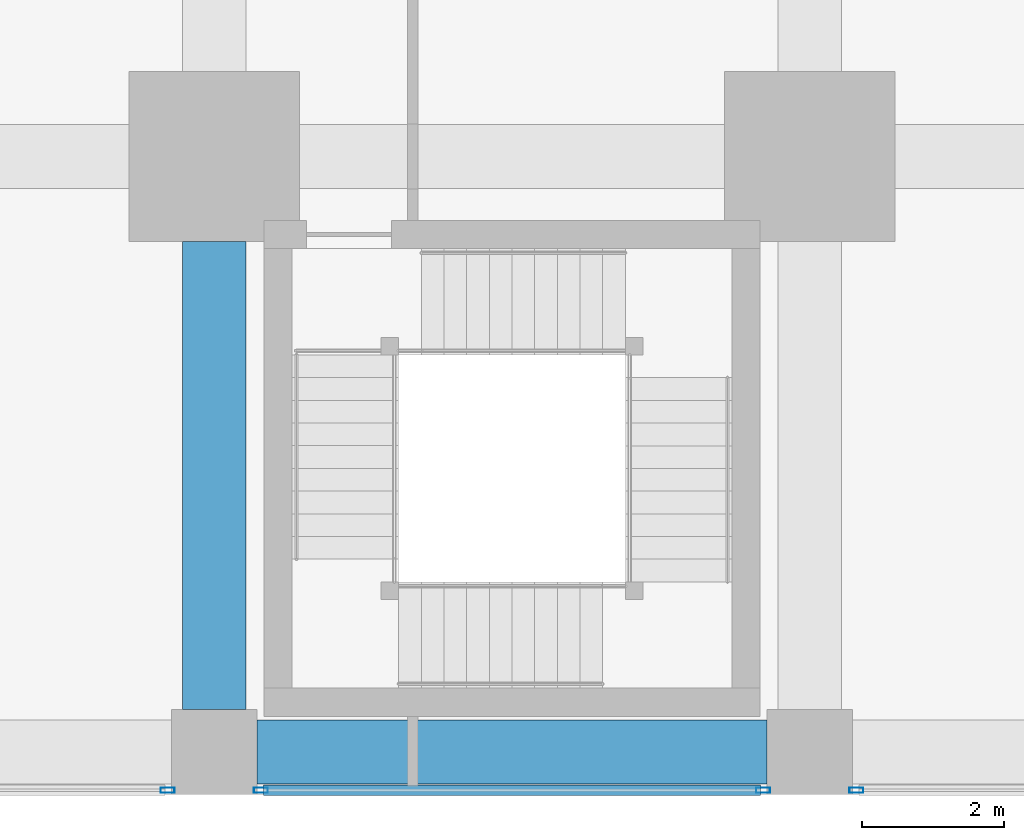
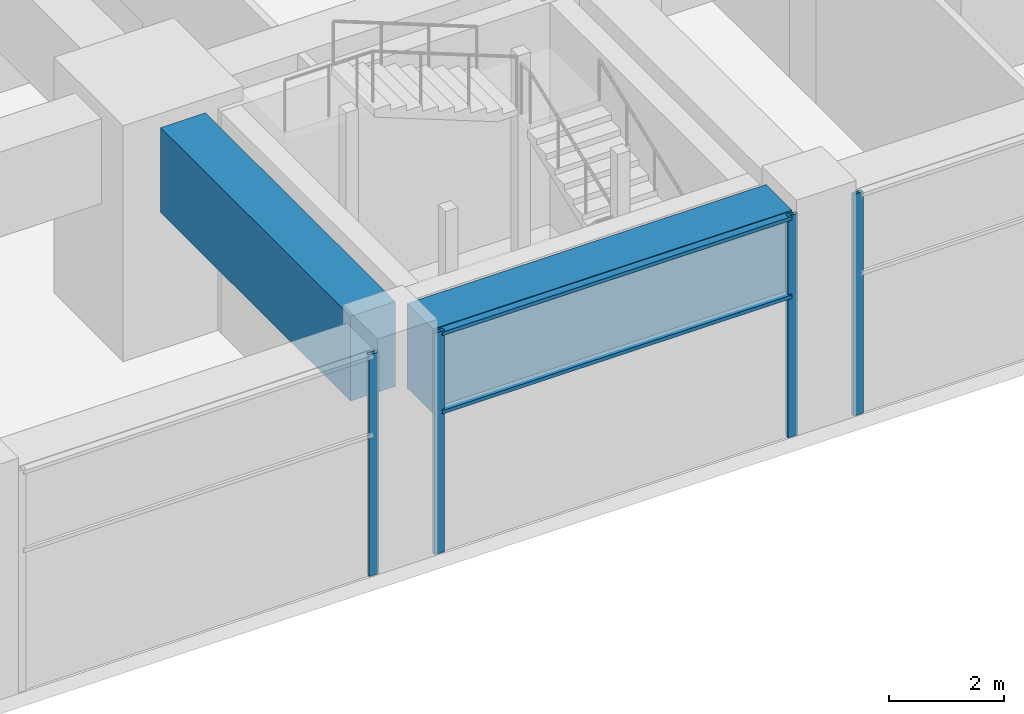
# One storey, part 15 of 48: 6 members, 2 beams, 3 elements without a shape of their own.
"""IFC4 building model written with IfcOpenShell, lengths in metres."""

import ifcopenshell
import ifcopenshell.guid

model = None  # the IFC model being written
_history = None  # IfcOwnerHistory: only IFC2X3 demands one
_inside = {}  # id of a spatial element -> (the spatial element, [elements in it])
_under = {}  # id of a project, library or spatial element -> (it, [spatial elements below it])
_declared = {}  # id of a project -> (the project, [libraries it declares])
_typed = {}  # id of a type object -> (the type object, [elements of that type])
_made_of = {}  # id of a material, layer set ... -> (it, [elements and type objects made of it])


def new_model(schema):
    """Start an empty IFC model of exactly this schema.

    Asked for "IFC4X3", IfcOpenShell would pick the latest addendum, in which some entities
    have other attributes; the version numbers below select the first issue.
    IFC2X3 requires an IfcOwnerHistory on every rooted entity: one is made here for all.
    """
    global model, _history
    if schema == "IFC4X3":
        model = ifcopenshell.file(schema_version=(4, 3, 0, 0))
    else:
        model = ifcopenshell.file(schema=schema)
    _inside.clear()
    _under.clear()
    _declared.clear()
    _typed.clear()
    _made_of.clear()
    _history = None
    if model.schema == "IFC2X3":
        org = make("IfcOrganization", Name="unknown")
        user = make(
            "IfcPersonAndOrganization",
            ThePerson=make("IfcPerson", FamilyName="unknown"),
            TheOrganization=org,
        )
        app = make(
            "IfcApplication",
            ApplicationDeveloper=org,
            Version="unknown",
            ApplicationFullName="unknown",
            ApplicationIdentifier="unknown",
        )
        _history = make(
            "IfcOwnerHistory",
            OwningUser=user,
            OwningApplication=app,
            ChangeAction="ADDED",
            CreationDate=0,
        )
    return model


def make(cls, **values):
    """One entity of the class cls with the attributes given. An attribute that is None is left unset."""
    return model.create_entity(
        cls, **{name: value for name, value in values.items() if value is not None}
    )


def rooted(cls, **values):
    """An entity with a GlobalId (a new one), such as an element, a storey or a relation."""
    return make(cls, GlobalId=ifcopenshell.guid.new(), OwnerHistory=_history, **values)


def si_unit(unit_type, name, prefix=None):
    """IfcSIUnit, for example si_unit("LENGTHUNIT", "METRE", prefix="MILLI")."""
    return make("IfcSIUnit", UnitType=unit_type, Prefix=prefix, Name=name)


def assignment(units):
    """IfcUnitAssignment: the units of a project."""
    return None if units is None else make("IfcUnitAssignment", Units=units)


def point(xyz):
    """IfcCartesianPoint."""
    return None if xyz is None else make("IfcCartesianPoint", Coordinates=xyz)


def direction(xyz):
    """IfcDirection."""
    return None if xyz is None else make("IfcDirection", DirectionRatios=xyz)


def frame(location, z_axis=None, x_axis=None):
    """IfcAxis2Placement3D, a coordinate frame: its origin and axes. An axis left out is left unset."""
    return make(
        "IfcAxis2Placement3D",
        Location=point(location),
        Axis=direction(z_axis),
        RefDirection=direction(x_axis),
    )


def frame_2d(location, x_axis=None):
    """IfcAxis2Placement2D, a coordinate frame in the plane: its origin and x axis."""
    return make(
        "IfcAxis2Placement2D", Location=point(location), RefDirection=direction(x_axis)
    )


def origin():
    """The frame at (0, 0, 0) with its axes left unset."""
    return frame((0.0, 0.0, 0.0))


def origin_2d():
    """The frame at (0, 0) in the plane with its x axis left unset."""
    return frame_2d((0.0, 0.0))


def place(relative_to, where):
    """IfcLocalPlacement: puts the frame where relative to a parent placement (None: the world)."""
    return make(
        "IfcLocalPlacement", PlacementRelTo=relative_to, RelativePlacement=where
    )


def context(
    kind, dimensions, precision=None, world=None, true_north=None, identifier=None
):
    """IfcGeometricRepresentationContext, for example the 3D "Model" context."""
    return make(
        "IfcGeometricRepresentationContext",
        ContextIdentifier=identifier,
        ContextType=kind,
        CoordinateSpaceDimension=dimensions,
        Precision=precision,
        WorldCoordinateSystem=world,
        TrueNorth=true_north,
    )


def subcontext(parent, identifier, kind, view, scale=None):
    """IfcGeometricRepresentationSubContext, for example "Body" below "Model"."""
    return make(
        "IfcGeometricRepresentationSubContext",
        ContextIdentifier=identifier,
        ContextType=kind,
        ParentContext=parent,
        TargetScale=scale,
        TargetView=view,
    )


def project(units=None, contexts=None):
    """IfcProject with its units and contexts."""
    return rooted(
        "IfcProject",
        Name="project",
        RepresentationContexts=contexts,
        UnitsInContext=assignment(units),
    )


def spatial(cls, under=None, at=None, **own):
    """A site, building, storey or space (cls), placed at a placement, below another one or the project."""
    s = rooted(cls, ObjectPlacement=at, **own)
    if under is not None:
        _under.setdefault(under.id(), (under, []))[1].append(s)
    return s


def profile(cls, at=None, kind="AREA", **sizes):
    """A parametric profile (cls). Its sizes go by their IFC names, for example OverallWidth=200.0."""
    return make(cls, ProfileType=kind, Position=at, **sizes)


def rectangle(**sizes):
    """IfcRectangleProfileDef."""
    return profile("IfcRectangleProfileDef", **sizes)


def hollow_rectangle(**sizes):
    """IfcRectangleHollowProfileDef."""
    return profile("IfcRectangleHollowProfileDef", **sizes)


def extrude(swept, where, along, depth):
    """IfcExtrudedAreaSolid: the profile swept, set in the frame where, extruded along a direction by depth."""
    return make(
        "IfcExtrudedAreaSolid",
        SweptArea=swept,
        Position=where,
        ExtrudedDirection=direction(along),
        Depth=depth,
    )


def shape(context_of_items, identifier, shape_type, items):
    """IfcShapeRepresentation: the items that make up one representation, for example the "Body"."""
    return make(
        "IfcShapeRepresentation",
        ContextOfItems=context_of_items,
        RepresentationIdentifier=identifier,
        RepresentationType=shape_type,
        Items=items,
    )


def material(Name=None, Category=None):
    """IfcMaterial."""
    return make("IfcMaterial", Name=Name, Category=Category)


def material_profile(
    of_material, cross_section, Name=None, Category=None, Priority=None
):
    """IfcMaterialProfile: a cross section and its material."""
    return make(
        "IfcMaterialProfile",
        Name=Name,
        Material=of_material,
        Profile=cross_section,
        Priority=Priority,
        Category=Category,
    )


def profile_set(profiles, Name=None, composite=None):
    """IfcMaterialProfileSet."""
    return make(
        "IfcMaterialProfileSet",
        Name=Name,
        MaterialProfiles=profiles,
        CompositeProfile=composite,
    )


def made_of(thing, what):
    """Note that an element or type object is made of a material, layer set ...; save() writes the relation."""
    if what is not None:
        _made_of.setdefault(what.id(), (what, []))[1].append(thing)
    return thing


def type_object(cls, material=None, **own):
    """A type object (cls), such as IfcWallType, which elements share."""
    return made_of(rooted(cls, **own), material)


def element(
    cls,
    number,
    at=None,
    inside=None,
    cuts=None,
    type_object=None,
    material=None,
    context=None,
    identifier="Body",
    shape_type=None,
    held_by="IfcProductDefinitionShape",
    body=None,
    shapes=None,
    **own,
):
    """One element of the class cls, such as IfcWall. Its Tag is "e" and its number.

    at: its placement. inside: the storey or other place that contains it. cuts: it is an
    opening in that element (IfcRelVoidsElement). A single representation is given by context,
    identifier, shape_type and body (its items); several are given by shapes. held_by: the class
    of the entity that holds the representations. save() writes the other relations.
    """
    e = rooted(cls, Tag="e%d" % number, ObjectPlacement=at, **own)
    if body is not None:
        shapes = [shape(context, identifier, shape_type, body)]
    if shapes is not None:
        e.Representation = make(held_by, Representations=shapes)
    if inside is not None:
        _inside.setdefault(inside.id(), (inside, []))[1].append(e)
    if cuts is not None:
        rooted(
            "IfcRelVoidsElement", RelatingBuildingElement=cuts, RelatedOpeningElement=e
        )
    if type_object is not None:
        _typed.setdefault(type_object.id(), (type_object, []))[1].append(e)
    return made_of(e, material)


def aggregate(whole, parts):
    """IfcRelAggregates: a whole, such as a stair, and the parts it consists of."""
    return rooted("IfcRelAggregates", RelatingObject=whole, RelatedObjects=parts)


def save(model, path):
    """Write the relations noted so far, then the file.

    IfcRelAggregates (storeys below a building ...), IfcRelContainedInSpatialStructure (elements
    in a storey), IfcRelDefinesByType, IfcRelAssociatesMaterial and IfcRelDeclares: one each for
    every whole, place, type object, material and project.
    """
    for whole, parts in _under.values():
        aggregate(whole, parts)
    for where, things in _inside.values():
        rooted(
            "IfcRelContainedInSpatialStructure",
            RelatedElements=things,
            RelatingStructure=where,
        )
    for kind, things in _typed.values():
        rooted("IfcRelDefinesByType", RelatedObjects=things, RelatingType=kind)
    for what, things in _made_of.values():
        rooted("IfcRelAssociatesMaterial", RelatedObjects=things, RelatingMaterial=what)
    for by, libraries in _declared.values():
        rooted("IfcRelDeclares", RelatingContext=by, RelatedDefinitions=libraries)
    model.write(path)


model = new_model("IFC4")

# Units and contexts
model_context = context("Model", 3, precision=1e-05, world=origin(), true_north=direction((0.0, 1.0)))
body_context = subcontext(model_context, "Body", "Model", "MODEL_VIEW")
ifc_project = project(units=[si_unit("LENGTHUNIT", "METRE"), si_unit("AREAUNIT", "SQUARE_METRE"), si_unit("VOLUMEUNIT", "CUBIC_METRE"), si_unit("PLANEANGLEUNIT", "RADIAN"), si_unit("MASSUNIT", "GRAM", prefix="KILO")], contexts=[model_context])

# Site, building, storey
site_placement = place(None, origin())
site = spatial("IfcSite", under=ifc_project, at=site_placement, CompositionType="ELEMENT")
building_placement = place(site_placement, origin())
building = spatial("IfcBuilding", under=site, at=building_placement, Name="Rekha Terrace Tower", CompositionType="ELEMENT")
storey_placement = place(building_placement, frame((0.0, 0.0, 15.39990234375)))
storey = spatial("IfcBuildingStorey", under=building, at=storey_placement, Name="L03", CompositionType="ELEMENT", Elevation=15.39990234375)

# Curtain wall, member
ifc_material_1 = material(Name="Aluminium framing", Category="aluminium")
curtain_wall_type = type_object("IfcCurtainWallType", Name="CW4 podium shopfront glazing", PredefinedType="USERDEFINED", material=ifc_material_1)
curtain_wall_1_placement = place(storey_placement, origin())
curtain_wall_1 = element("IfcCurtainWall", 1, at=curtain_wall_1_placement, inside=storey, type_object=curtain_wall_type, Name="CW4 shopfront curtain wall", ObjectType="SHOPFRONT CURTAIN WALL", PredefinedType="USERDEFINED")
ifc_material_2 = material(Name="Aluminium mullion section", Category="aluminium")
ifc_material_profile_1 = material_profile(ifc_material_2, hollow_rectangle(XDim=0.074951171875, YDim=0.199951171875, WallThickness=0.00390625, at=origin_2d()), Name="AL RHS 75x200")
ifc_profile_set_1 = profile_set([ifc_material_profile_1], Name="Aluminium mullion section")
member_type_1 = type_object("IfcMemberType", Name="CW4 mullion RHS 75 x 200", PredefinedType="MULLION", material=ifc_profile_set_1)
member_1_placement = place(storey_placement, frame((49.742431640625, -0.5400390625, 0.0), z_axis=(0.0, 0.0, 1.0), x_axis=(0.0, 1.0, 0.0)))
member_1 = element("IfcMember", 2, at=member_1_placement, type_object=member_type_1, Name="CW4 mullion 2", PredefinedType="MULLION", context=body_context, shape_type="SweptSolid", body=[
    extrude(hollow_rectangle(XDim=0.074951171875, YDim=0.199951171875, WallThickness=0.00390625, at=origin_2d()), origin(), (0.0, 0.0, 1.0), 4.7001953125),
])
aggregate(curtain_wall_1, [member_1])

# Curtain wall, members
curtain_wall_2_placement = place(storey_placement, origin())
curtain_wall_2 = element("IfcCurtainWall", 3, at=curtain_wall_2_placement, inside=storey, type_object=curtain_wall_type, Name="CW4 shopfront curtain wall", ObjectType="SHOPFRONT CURTAIN WALL", PredefinedType="USERDEFINED")
member_2_placement = place(storey_placement, frame((51.0576171875, -0.5400390625, 0.0), z_axis=(0.0, 0.0, 1.0), x_axis=(0.0, 1.0, 0.0)))
member_2 = element("IfcMember", 4, at=member_2_placement, type_object=member_type_1, Name="CW4 mullion 1", PredefinedType="MULLION", context=body_context, shape_type="SweptSolid", body=[
    extrude(hollow_rectangle(XDim=0.074951171875, YDim=0.199951171875, WallThickness=0.00390625, at=origin_2d()), origin(), (0.0, 0.0, 1.0), 4.7001953125),
])
member_3_placement = place(storey_placement, frame((58.142578125, -0.5400390625, 0.0), z_axis=(0.0, 0.0, 1.0), x_axis=(0.0, 1.0, 0.0)))
member_3 = element("IfcMember", 5, at=member_3_placement, type_object=member_type_1, Name="CW4 mullion 2", PredefinedType="MULLION", context=body_context, shape_type="SweptSolid", body=[
    extrude(hollow_rectangle(XDim=0.074951171875, YDim=0.199951171875, WallThickness=0.00390625, at=origin_2d()), origin(), (0.0, 0.0, 1.0), 4.7001953125),
])

# Curtain wall, member
curtain_wall_3_placement = place(storey_placement, origin())
curtain_wall_3 = element("IfcCurtainWall", 6, at=curtain_wall_3_placement, inside=storey, type_object=curtain_wall_type, Name="CW4 shopfront curtain wall", ObjectType="SHOPFRONT CURTAIN WALL", PredefinedType="USERDEFINED")
member_4_placement = place(storey_placement, frame((59.45751953125, -0.5400390625, 0.0), z_axis=(0.0, 0.0, 1.0), x_axis=(0.0, 1.0, 0.0)))
member_4 = element("IfcMember", 7, at=member_4_placement, type_object=member_type_1, Name="CW4 mullion 1", PredefinedType="MULLION", context=body_context, shape_type="SweptSolid", body=[
    extrude(hollow_rectangle(XDim=0.074951171875, YDim=0.199951171875, WallThickness=0.00390625, at=origin_2d()), origin(), (0.0, 0.0, 1.0), 4.7001953125),
])
aggregate(curtain_wall_3, [member_4])

# Member
ifc_material_3 = material(Name="Aluminium transom section", Category="aluminium")
ifc_material_profile_2 = material_profile(ifc_material_3, hollow_rectangle(XDim=0.14990234375, YDim=0.074951171875, WallThickness=0.0029296875, at=origin_2d()), Name="AL RHS 150x75")
ifc_profile_set_2 = profile_set([ifc_material_profile_2], Name="Aluminium transom section")
member_type_2 = type_object("IfcMemberType", Name="CW4 transom RHS 75 x 150", PredefinedType="USERDEFINED", material=ifc_profile_set_2)
member_5_placement = place(storey_placement, frame((51.094970703125, -0.5400390625, 3.0), z_axis=(1.0, 0.0, 0.0), x_axis=(0.0, 1.0, 0.0)))
member_5 = element("IfcMember", 8, at=member_5_placement, type_object=member_type_2, Name="CW4 transom 1.2", ObjectType="TRANSOM", PredefinedType="USERDEFINED", context=body_context, shape_type="SweptSolid", body=[
    extrude(hollow_rectangle(XDim=0.14990234375, YDim=0.074951171875, WallThickness=0.0029296875, at=origin_2d()), origin(), (0.0, 0.0, 1.0), 7.010009765625),
])

member_6_placement = place(storey_placement, frame((51.094970703125, -0.5400390625, 4.66259765625), z_axis=(1.0, 0.0, 0.0), x_axis=(0.0, 1.0, 0.0)))
member_6 = element("IfcMember", 9, at=member_6_placement, type_object=member_type_2, Name="CW4 transom 1.3", ObjectType="TRANSOM", PredefinedType="USERDEFINED", context=body_context, shape_type="SweptSolid", body=[
    extrude(hollow_rectangle(XDim=0.14990234375, YDim=0.074951171875, WallThickness=0.0029296875, at=origin_2d()), origin(), (0.0, 0.0, 1.0), 7.010009765625),
])

aggregate(curtain_wall_2, [member_2, member_3, member_5, member_6])

# Beams
ifc_material_4 = material(Name="Concrete M60", Category="concrete")
ifc_material_profile_3 = material_profile(ifc_material_4, rectangle(XDim=0.89990234375, YDim=1.800048828125, at=origin_2d()), Name="RC 900x1800")
ifc_profile_set_3 = profile_set([ifc_material_profile_3], Name="Concrete M60")
beam_type = type_object("IfcBeamType", Name="G1 900x1800 podium floor beam", PredefinedType="BEAM", material=ifc_profile_set_3)
beam_1_placement = place(storey_placement, frame((51.0, 0.0, 3.800048828125), z_axis=(1.0, 0.0, 0.0), x_axis=(0.0, 1.0, 0.0)))
element("IfcBeam", 10, at=beam_1_placement, inside=storey, type_object=beam_type, Name="Beam G1 7A-8A under L04", PredefinedType="BEAM", context=body_context, shape_type="SweptSolid", body=[
    extrude(rectangle(XDim=0.89990234375, YDim=1.800048828125, at=origin_2d()), origin(), (0.0, 0.0, 1.0), 7.199951171875),
])
beam_2_placement = place(storey_placement, frame((50.39990234375, 0.60009765625, 3.800048828125), z_axis=(0.0, 1.0, 0.0), x_axis=(-1.0, 0.0, 0.0)))
element("IfcBeam", 11, at=beam_2_placement, inside=storey, type_object=beam_type, Name="Beam G1 7A-7B under L04", PredefinedType="BEAM", context=body_context, shape_type="SweptSolid", body=[
    extrude(rectangle(XDim=0.89990234375, YDim=1.800048828125, at=origin_2d()), origin(), (0.0, 0.0, 1.0), 6.599853515625),
])

save(model, "model.ifc")
